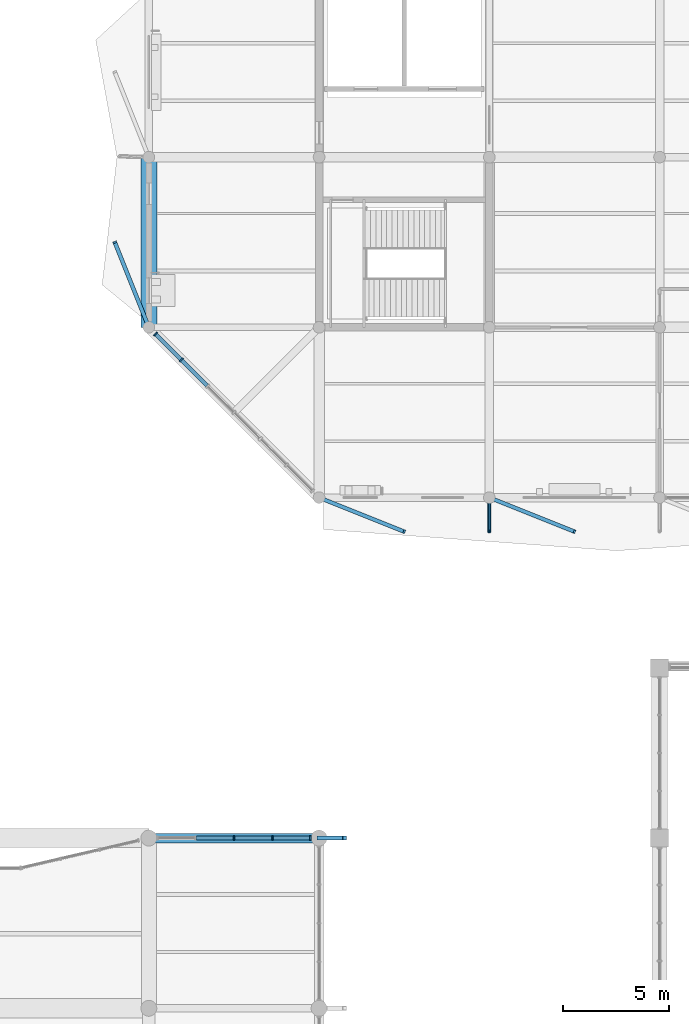
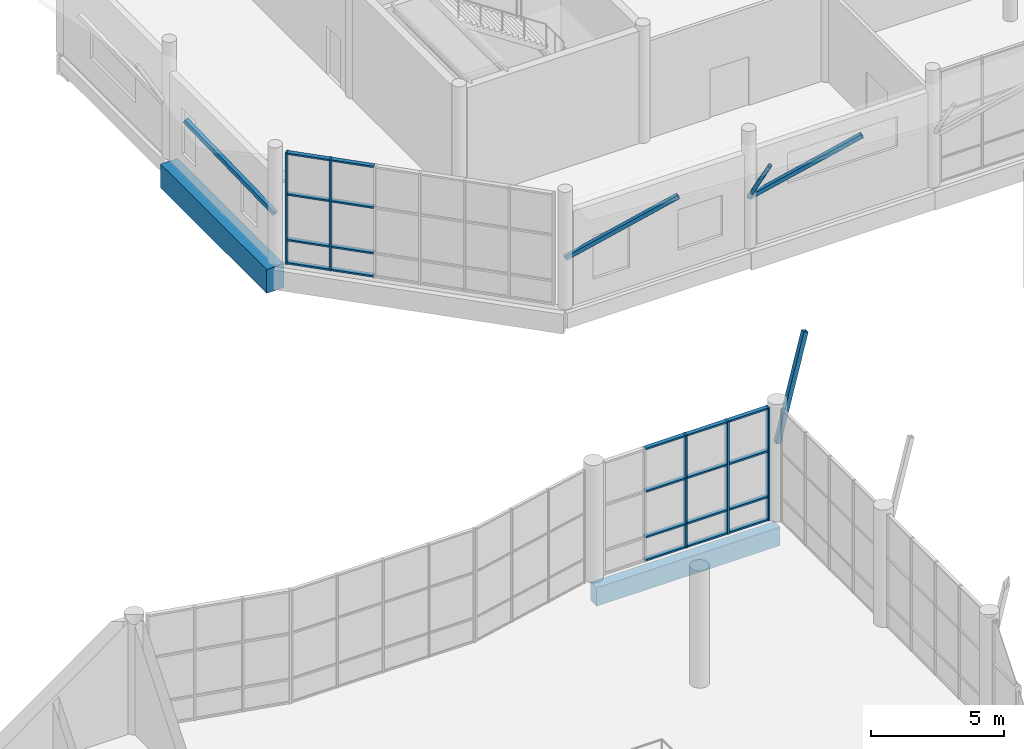
# One storey, part 42 of 122: 30 members, 2 beams, 2 elements without a shape of their own.
"""IFC4 building model written with IfcOpenShell, lengths in metres."""

from ifc_helpers import new_model, si_unit, direction, frame, origin, origin_2d, place, context, subcontext, project, spatial, rectangle, hollow_rectangle, hollow_circle, extrude, material, material_profile, profile_set, type_object, element, aggregate, save


model = new_model("IFC4")

# Units and contexts
model_context = context("Model", 3, precision=1e-05, world=origin(), true_north=direction((0.0, 1.0)))
body_context = subcontext(model_context, "Body", "Model", "MODEL_VIEW")
ifc_project = project(units=[si_unit("LENGTHUNIT", "METRE"), si_unit("AREAUNIT", "SQUARE_METRE"), si_unit("VOLUMEUNIT", "CUBIC_METRE"), si_unit("PLANEANGLEUNIT", "RADIAN"), si_unit("MASSUNIT", "GRAM", prefix="KILO")], contexts=[model_context])

# Site, building, storey
site_placement = place(None, origin())
site = spatial("IfcSite", under=ifc_project, at=site_placement, CompositionType="ELEMENT")
building_placement = place(site_placement, origin())
building = spatial("IfcBuilding", under=site, at=building_placement, Name="Tenunan Teduh Sports Hall", CompositionType="ELEMENT")
storey_placement = place(building_placement, frame((0.0, 0.0, 5.39990234375)))
storey = spatial("IfcBuildingStorey", under=building, at=storey_placement, Name="L01", CompositionType="ELEMENT", Elevation=5.39990234375)

# Beams
ifc_material_1 = material(Name="Concrete C40/50", Category="concrete")
ifc_material_profile_1 = material_profile(ifc_material_1, rectangle(XDim=0.449951171875, YDim=0.85009765625, at=origin_2d()), Name="RCB 450x850")
ifc_profile_set_1 = profile_set([ifc_material_profile_1], Name="Concrete C40/50")
beam_type_1 = type_object("IfcBeamType", Name="BM-RC-450x850", PredefinedType="BEAM", material=ifc_profile_set_1)
beam_1_placement = place(storey_placement, frame((98.0, 70.0, -0.784912109375), z_axis=(1.0, 0.0, 0.0), x_axis=(0.0, 1.0, 0.0)))
element("IfcBeam", 1, at=beam_1_placement, inside=storey, type_object=beam_type_1, Name="BM-B-13-L01-1094", PredefinedType="BEAM", context=body_context, shape_type="SweptSolid", body=[
    extrude(rectangle(XDim=0.449951171875, YDim=0.85009765625, at=origin_2d()), origin(), (0.0, 0.0, 1.0), 8.0),
])
ifc_material_2 = material(Name="Concrete C40/50", Category="concrete")
ifc_material_profile_2 = material_profile(ifc_material_2, rectangle(XDim=0.75, YDim=1.10009765625, at=origin_2d()), Name="RCB 750x1100")
ifc_profile_set_2 = profile_set([ifc_material_profile_2], Name="Concrete C40/50")
beam_type_2 = type_object("IfcBeamType", Name="BM-RC-750x1100", PredefinedType="SPANDREL", material=ifc_profile_set_2)
beam_2_placement = place(storey_placement, frame((98.0, 94.0, -0.809814453125), z_axis=(0.0, 1.0, 0.0), x_axis=(-1.0, 0.0, 0.0)))
element("IfcBeam", 2, at=beam_2_placement, inside=storey, type_object=beam_type_2, Name="BM-B-20-L01-1250", PredefinedType="SPANDREL", context=body_context, shape_type="SweptSolid", body=[
    extrude(rectangle(XDim=0.75, YDim=1.10009765625, at=origin_2d()), origin(), (0.0, 0.0, 1.0), 8.0),
])

# Curtain wall, members
ifc_material_3 = material(Name="Anodised aluminium", Category="aluminium")
curtain_wall_type = type_object("IfcCurtainWallType", Name="CW-UNIT-1", PredefinedType="NOTDEFINED", material=ifc_material_3)
curtain_wall_1_placement = place(storey_placement, origin())
curtain_wall_1 = element("IfcCurtainWall", 3, at=curtain_wall_1_placement, inside=storey, type_object=curtain_wall_type, Name="CW-CWM-220-L01-165", PredefinedType="NOTDEFINED")
ifc_material_4 = material(Name="Anodised aluminium", Category="aluminium")
ifc_material_profile_3 = material_profile(ifc_material_4, rectangle(XDim=0.074951171875, YDim=0.219970703125, at=origin_2d()), Name="CWM 75x220")
ifc_profile_set_3 = profile_set([ifc_material_profile_3], Name="Anodised aluminium")
member_type_1 = type_object("IfcMemberType", Name="CWM-220", PredefinedType="MULLION", material=ifc_profile_set_3)
member_1_placement = place(storey_placement, frame((102.0, 70.0, 0.0), z_axis=(0.0, 0.0, 1.0), x_axis=(1.0, 0.0, 0.0)))
member_1 = element("IfcMember", 4, at=member_1_placement, type_object=member_type_1, Name="CW-01 mullion 3", PredefinedType="MULLION", context=body_context, shape_type="SweptSolid", body=[
    extrude(rectangle(XDim=0.074951171875, YDim=0.219970703125, at=origin_2d()), origin(), (0.0, 0.0, 1.0), 5.2001953125),
])
member_2_placement = place(storey_placement, frame((103.8125, 70.0, 0.0), z_axis=(0.0, 0.0, 1.0), x_axis=(1.0, 0.0, 0.0)))
member_2 = element("IfcMember", 5, at=member_2_placement, type_object=member_type_1, Name="CW-01 mullion 4", PredefinedType="MULLION", context=body_context, shape_type="SweptSolid", body=[
    extrude(rectangle(XDim=0.074951171875, YDim=0.219970703125, at=origin_2d()), origin(), (0.0, 0.0, 1.0), 5.2001953125),
])
member_3_placement = place(storey_placement, frame((105.58740234375, 70.0, 0.0), z_axis=(0.0, 0.0, 1.0), x_axis=(1.0, 0.0, 0.0)))
member_3 = element("IfcMember", 6, at=member_3_placement, type_object=member_type_1, Name="CW-01 mullion 5", PredefinedType="MULLION", context=body_context, shape_type="SweptSolid", body=[
    extrude(rectangle(XDim=0.074951171875, YDim=0.219970703125, at=origin_2d()), origin(), (0.0, 0.0, 1.0), 5.2001953125),
])

curtain_wall_2_placement = place(storey_placement, origin())
curtain_wall_2 = element("IfcCurtainWall", 7, at=curtain_wall_2_placement, inside=storey, type_object=curtain_wall_type, Name="CW-CWM-220-L01-253", PredefinedType="NOTDEFINED")
member_4_placement = place(storey_placement, frame((98.315185546875, 93.684814453125, 0.0), z_axis=(0.0, 0.0, 1.0), x_axis=(-0.707106781187, 0.707106781187, 0.0)))
member_4 = element("IfcMember", 8, at=member_4_placement, type_object=member_type_1, Name="CW-01 mullion 1", PredefinedType="MULLION", context=body_context, shape_type="SweptSolid", body=[
    extrude(rectangle(XDim=0.074951171875, YDim=0.219970703125, at=origin_2d()), origin(), (0.0, 0.0, 1.0), 5.1201171875),
])
member_5_placement = place(storey_placement, frame((99.52587890625, 92.47412109375, 0.0), z_axis=(0.0, 0.0, 1.0), x_axis=(-0.707106781187, 0.707106781187, 0.0)))
member_5 = element("IfcMember", 9, at=member_5_placement, type_object=member_type_1, Name="CW-01 mullion 2", PredefinedType="MULLION", context=body_context, shape_type="SweptSolid", body=[
    extrude(rectangle(XDim=0.074951171875, YDim=0.219970703125, at=origin_2d()), origin(), (0.0, 0.0, 1.0), 5.1201171875),
])

# Member
ifc_material_5 = material(Name="Anodised aluminium", Category="aluminium")
ifc_material_profile_4 = material_profile(ifc_material_5, rectangle(XDim=0.074951171875, YDim=0.179931640625, at=origin_2d()), Name="CWT 75x180")
ifc_profile_set_4 = profile_set([ifc_material_profile_4], Name="Anodised aluminium")
member_type_2 = type_object("IfcMemberType", Name="CWT-180", PredefinedType="USERDEFINED", material=ifc_profile_set_4)
member_6_placement = place(storey_placement, frame((100.22509765625, 70.0, 0.03759765625), z_axis=(1.0, 0.0, 0.0), x_axis=(0.0, 0.0, 1.0)))
member_6 = element("IfcMember", 10, at=member_6_placement, type_object=member_type_2, Name="CW-01 transom 2.1", ObjectType="TRANSOM", PredefinedType="USERDEFINED", context=body_context, shape_type="SweptSolid", body=[
    extrude(rectangle(XDim=0.074951171875, YDim=0.179931640625, at=origin_2d()), origin(), (0.0, 0.0, 1.0), 1.7373046875),
])

member_7_placement = place(storey_placement, frame((100.22509765625, 70.0, 1.10009765625), z_axis=(1.0, 0.0, 0.0), x_axis=(0.0, 0.0, 1.0)))
member_7 = element("IfcMember", 11, at=member_7_placement, type_object=member_type_2, Name="CW-01 transom 2.2", ObjectType="TRANSOM", PredefinedType="USERDEFINED", context=body_context, shape_type="SweptSolid", body=[
    extrude(rectangle(XDim=0.074951171875, YDim=0.179931640625, at=origin_2d()), origin(), (0.0, 0.0, 1.0), 1.7373046875),
])

member_8_placement = place(storey_placement, frame((100.22509765625, 70.0, 3.2001953125), z_axis=(1.0, 0.0, 0.0), x_axis=(0.0, 0.0, 1.0)))
member_8 = element("IfcMember", 12, at=member_8_placement, type_object=member_type_2, Name="CW-01 transom 2.3", ObjectType="TRANSOM", PredefinedType="USERDEFINED", context=body_context, shape_type="SweptSolid", body=[
    extrude(rectangle(XDim=0.074951171875, YDim=0.179931640625, at=origin_2d()), origin(), (0.0, 0.0, 1.0), 1.7373046875),
])

member_9_placement = place(storey_placement, frame((100.22509765625, 70.0, 5.16259765625), z_axis=(1.0, 0.0, 0.0), x_axis=(0.0, 0.0, 1.0)))
member_9 = element("IfcMember", 13, at=member_9_placement, type_object=member_type_2, Name="CW-01 transom 2.4", ObjectType="TRANSOM", PredefinedType="USERDEFINED", context=body_context, shape_type="SweptSolid", body=[
    extrude(rectangle(XDim=0.074951171875, YDim=0.179931640625, at=origin_2d()), origin(), (0.0, 0.0, 1.0), 1.7373046875),
])

member_10_placement = place(storey_placement, frame((102.03759765625, 70.0, 0.03759765625), z_axis=(1.0, 0.0, 0.0), x_axis=(0.0, 0.0, 1.0)))
member_10 = element("IfcMember", 14, at=member_10_placement, type_object=member_type_2, Name="CW-01 transom 3.1", ObjectType="TRANSOM", PredefinedType="USERDEFINED", context=body_context, shape_type="SweptSolid", body=[
    extrude(rectangle(XDim=0.074951171875, YDim=0.179931640625, at=origin_2d()), origin(), (0.0, 0.0, 1.0), 1.7373046875),
])

member_11_placement = place(storey_placement, frame((102.03759765625, 70.0, 1.10009765625), z_axis=(1.0, 0.0, 0.0), x_axis=(0.0, 0.0, 1.0)))
member_11 = element("IfcMember", 15, at=member_11_placement, type_object=member_type_2, Name="CW-01 transom 3.2", ObjectType="TRANSOM", PredefinedType="USERDEFINED", context=body_context, shape_type="SweptSolid", body=[
    extrude(rectangle(XDim=0.074951171875, YDim=0.179931640625, at=origin_2d()), origin(), (0.0, 0.0, 1.0), 1.7373046875),
])

member_12_placement = place(storey_placement, frame((102.03759765625, 70.0, 3.2001953125), z_axis=(1.0, 0.0, 0.0), x_axis=(0.0, 0.0, 1.0)))
member_12 = element("IfcMember", 16, at=member_12_placement, type_object=member_type_2, Name="CW-01 transom 3.3", ObjectType="TRANSOM", PredefinedType="USERDEFINED", context=body_context, shape_type="SweptSolid", body=[
    extrude(rectangle(XDim=0.074951171875, YDim=0.179931640625, at=origin_2d()), origin(), (0.0, 0.0, 1.0), 1.7373046875),
])

member_13_placement = place(storey_placement, frame((102.03759765625, 70.0, 5.16259765625), z_axis=(1.0, 0.0, 0.0), x_axis=(0.0, 0.0, 1.0)))
member_13 = element("IfcMember", 17, at=member_13_placement, type_object=member_type_2, Name="CW-01 transom 3.4", ObjectType="TRANSOM", PredefinedType="USERDEFINED", context=body_context, shape_type="SweptSolid", body=[
    extrude(rectangle(XDim=0.074951171875, YDim=0.179931640625, at=origin_2d()), origin(), (0.0, 0.0, 1.0), 1.7373046875),
])

member_14_placement = place(storey_placement, frame((103.85009765625, 70.0, 0.03759765625), z_axis=(1.0, 0.0, 0.0), x_axis=(0.0, 0.0, 1.0)))
member_14 = element("IfcMember", 18, at=member_14_placement, type_object=member_type_2, Name="CW-01 transom 4.1", ObjectType="TRANSOM", PredefinedType="USERDEFINED", context=body_context, shape_type="SweptSolid", body=[
    extrude(rectangle(XDim=0.074951171875, YDim=0.179931640625, at=origin_2d()), origin(), (0.0, 0.0, 1.0), 1.699951171875),
])

member_15_placement = place(storey_placement, frame((103.85009765625, 70.0, 1.10009765625), z_axis=(1.0, 0.0, 0.0), x_axis=(0.0, 0.0, 1.0)))
member_15 = element("IfcMember", 19, at=member_15_placement, type_object=member_type_2, Name="CW-01 transom 4.2", ObjectType="TRANSOM", PredefinedType="USERDEFINED", context=body_context, shape_type="SweptSolid", body=[
    extrude(rectangle(XDim=0.074951171875, YDim=0.179931640625, at=origin_2d()), origin(), (0.0, 0.0, 1.0), 1.699951171875),
])

member_16_placement = place(storey_placement, frame((103.85009765625, 70.0, 3.2001953125), z_axis=(1.0, 0.0, 0.0), x_axis=(0.0, 0.0, 1.0)))
member_16 = element("IfcMember", 20, at=member_16_placement, type_object=member_type_2, Name="CW-01 transom 4.3", ObjectType="TRANSOM", PredefinedType="USERDEFINED", context=body_context, shape_type="SweptSolid", body=[
    extrude(rectangle(XDim=0.074951171875, YDim=0.179931640625, at=origin_2d()), origin(), (0.0, 0.0, 1.0), 1.699951171875),
])

member_17_placement = place(storey_placement, frame((103.85009765625, 70.0, 5.16259765625), z_axis=(1.0, 0.0, 0.0), x_axis=(0.0, 0.0, 1.0)))
member_17 = element("IfcMember", 21, at=member_17_placement, type_object=member_type_2, Name="CW-01 transom 4.4", ObjectType="TRANSOM", PredefinedType="USERDEFINED", context=body_context, shape_type="SweptSolid", body=[
    extrude(rectangle(XDim=0.074951171875, YDim=0.179931640625, at=origin_2d()), origin(), (0.0, 0.0, 1.0), 1.699951171875),
])

aggregate(curtain_wall_1, [member_1, member_2, member_3, member_6, member_7, member_8, member_9, member_10, member_11, member_12, member_13, member_14, member_15, member_16, member_17])

member_18_placement = place(storey_placement, frame((98.341796875, 93.658203125, 0.03759765625), z_axis=(0.707106781187, -0.707106781187, 0.0), x_axis=(0.0, 0.0, 1.0)))
member_18 = element("IfcMember", 22, at=member_18_placement, type_object=member_type_2, Name="CW-01 transom 1.1", ObjectType="TRANSOM", PredefinedType="USERDEFINED", context=body_context, shape_type="SweptSolid", body=[
    extrude(rectangle(XDim=0.074951171875, YDim=0.179931640625, at=origin_2d()), origin(), (0.0, 0.0, 1.0), 1.636962890625),
])

member_19_placement = place(storey_placement, frame((98.341796875, 93.658203125, 1.10009765625), z_axis=(0.707106781187, -0.707106781187, 0.0), x_axis=(0.0, 0.0, 1.0)))
member_19 = element("IfcMember", 23, at=member_19_placement, type_object=member_type_2, Name="CW-01 transom 1.2", ObjectType="TRANSOM", PredefinedType="USERDEFINED", context=body_context, shape_type="SweptSolid", body=[
    extrude(rectangle(XDim=0.074951171875, YDim=0.179931640625, at=origin_2d()), origin(), (0.0, 0.0, 1.0), 1.636962890625),
])

member_20_placement = place(storey_placement, frame((98.341796875, 93.658203125, 3.2001953125), z_axis=(0.707106781187, -0.707106781187, 0.0), x_axis=(0.0, 0.0, 1.0)))
member_20 = element("IfcMember", 24, at=member_20_placement, type_object=member_type_2, Name="CW-01 transom 1.3", ObjectType="TRANSOM", PredefinedType="USERDEFINED", context=body_context, shape_type="SweptSolid", body=[
    extrude(rectangle(XDim=0.074951171875, YDim=0.179931640625, at=origin_2d()), origin(), (0.0, 0.0, 1.0), 1.636962890625),
])

member_21_placement = place(storey_placement, frame((98.341796875, 93.658203125, 5.08251953125), z_axis=(0.707106781187, -0.707106781187, 0.0), x_axis=(0.0, 0.0, 1.0)))
member_21 = element("IfcMember", 25, at=member_21_placement, type_object=member_type_2, Name="CW-01 transom 1.4", ObjectType="TRANSOM", PredefinedType="USERDEFINED", context=body_context, shape_type="SweptSolid", body=[
    extrude(rectangle(XDim=0.074951171875, YDim=0.179931640625, at=origin_2d()), origin(), (0.0, 0.0, 1.0), 1.636962890625),
])

member_22_placement = place(storey_placement, frame((99.55224609375, 92.44775390625, 0.03759765625), z_axis=(0.707106781187, -0.707106781187, 0.0), x_axis=(0.0, 0.0, 1.0)))
member_22 = element("IfcMember", 26, at=member_22_placement, type_object=member_type_2, Name="CW-01 transom 2.1", ObjectType="TRANSOM", PredefinedType="USERDEFINED", context=body_context, shape_type="SweptSolid", body=[
    extrude(rectangle(XDim=0.074951171875, YDim=0.179931640625, at=origin_2d()), origin(), (0.0, 0.0, 1.0), 1.674560546875),
])

member_23_placement = place(storey_placement, frame((99.55224609375, 92.44775390625, 1.10009765625), z_axis=(0.707106781187, -0.707106781187, 0.0), x_axis=(0.0, 0.0, 1.0)))
member_23 = element("IfcMember", 27, at=member_23_placement, type_object=member_type_2, Name="CW-01 transom 2.2", ObjectType="TRANSOM", PredefinedType="USERDEFINED", context=body_context, shape_type="SweptSolid", body=[
    extrude(rectangle(XDim=0.074951171875, YDim=0.179931640625, at=origin_2d()), origin(), (0.0, 0.0, 1.0), 1.674560546875),
])

member_24_placement = place(storey_placement, frame((99.55224609375, 92.44775390625, 3.2001953125), z_axis=(0.707106781187, -0.707106781187, 0.0), x_axis=(0.0, 0.0, 1.0)))
member_24 = element("IfcMember", 28, at=member_24_placement, type_object=member_type_2, Name="CW-01 transom 2.3", ObjectType="TRANSOM", PredefinedType="USERDEFINED", context=body_context, shape_type="SweptSolid", body=[
    extrude(rectangle(XDim=0.074951171875, YDim=0.179931640625, at=origin_2d()), origin(), (0.0, 0.0, 1.0), 1.674560546875),
])

member_25_placement = place(storey_placement, frame((99.55224609375, 92.44775390625, 5.08251953125), z_axis=(0.707106781187, -0.707106781187, 0.0), x_axis=(0.0, 0.0, 1.0)))
member_25 = element("IfcMember", 29, at=member_25_placement, type_object=member_type_2, Name="CW-01 transom 2.4", ObjectType="TRANSOM", PredefinedType="USERDEFINED", context=body_context, shape_type="SweptSolid", body=[
    extrude(rectangle(XDim=0.074951171875, YDim=0.179931640625, at=origin_2d()), origin(), (0.0, 0.0, 1.0), 1.674560546875),
])

aggregate(curtain_wall_2, [member_4, member_5, member_18, member_19, member_20, member_21, member_22, member_23, member_24, member_25])

# Members
ifc_material_6 = material(Name="Steel S355", Category="steel")
ifc_material_profile_5 = material_profile(ifc_material_6, hollow_circle(Radius=0.084228515625, WallThickness=0.008056640625, at=origin_2d()), Name="CHS 168.3x8.0")
ifc_profile_set_5 = profile_set([ifc_material_profile_5], Name="Steel S355")
member_type_3 = type_object("IfcMemberType", Name="MEM-BR-CHS168", PredefinedType="BRACE", material=ifc_profile_set_5)
member_26_placement = place(storey_placement, frame((114.0, 86.0, 2.2001953125), z_axis=(0.0, -0.551550138516, 0.834141741374), x_axis=(1.0, 0.0, 0.0)))
element("IfcMember", 30, at=member_26_placement, inside=storey, type_object=member_type_3, Name="MEM-GD-04-L01-1215", PredefinedType="BRACE", context=body_context, shape_type="SweptSolid", body=[
    extrude(hollow_circle(Radius=0.084228515625, WallThickness=0.008056640625, at=origin_2d()), origin(), (0.0, 0.0, 1.0), 2.901123046875),
])
ifc_material_7 = material(Name="Steel S355", Category="steel")
ifc_material_profile_6 = material_profile(ifc_material_7, hollow_rectangle(XDim=0.179931640625, YDim=0.179931640625, WallThickness=0.010009765625, at=origin_2d()), Name="SHS 180x180x10.0")
ifc_profile_set_6 = profile_set([ifc_material_profile_6], Name="Steel S355")
member_type_4 = type_object("IfcMemberType", Name="MEM-ST-SHS180", PredefinedType="STRUT", material=ifc_profile_set_6)
for number, where, z_axis, x_axis, name in (
    (31, (106.0, 86.0, 2.2001953125), (0.809505416952, -0.323821930097, 0.489734966603), (0.37141021739, 0.928468874232, 0.0), "MEM-VS-03-L01-1214"),
    (32, (114.0, 86.0, 2.2001953125), (0.809505416952, -0.323821930097, 0.489734966603), (0.37141021739, 0.928468874232, 0.0), "MEM-VS-03-L01-1218"),
    (33, (98.0, 94.0, 2.2001953125), (-0.323821930097, 0.809505416952, 0.489734966603), (-0.928468874232, -0.37141021739, 0.0), "MEM-VS-03-L01-1236"),
):
    element("IfcMember", number, at=place(storey_placement, frame(where, z_axis=z_axis, x_axis=x_axis)), inside=storey, type_object=member_type_4, Name=name, PredefinedType="STRUT", context=body_context, shape_type="SweptSolid", body=[
        extrude(hollow_rectangle(XDim=0.179931640625, YDim=0.179931640625, WallThickness=0.010009765625, at=origin_2d()), origin(), (0.0, 0.0, 1.0), 4.94140625),
    ])
ifc_material_8 = material(Name="Steel S355", Category="steel")
ifc_material_profile_7 = material_profile(ifc_material_8, hollow_rectangle(XDim=0.199951171875, YDim=0.199951171875, WallThickness=0.010009765625, at=origin_2d()), Name="SHS 200x200x10.0")
ifc_profile_set_7 = profile_set([ifc_material_profile_7], Name="Steel S355")
member_type_5 = type_object("IfcMemberType", Name="MEM-ST-SHS200", PredefinedType="STRUT", material=ifc_profile_set_7)
member_27_placement = place(storey_placement, frame((106.0, 70.0, 3.400146484375), z_axis=(0.246390798262, 0.0, 0.969170560083), x_axis=(0.0, 1.0, 0.0)))
element("IfcMember", 34, at=member_27_placement, inside=storey, type_object=member_type_5, Name="MEM-VS-02-L01-0902", PredefinedType="STRUT", context=body_context, shape_type="SweptSolid", body=[
    extrude(hollow_rectangle(XDim=0.199951171875, YDim=0.199951171875, WallThickness=0.010009765625, at=origin_2d()), origin(), (0.0, 0.0, 1.0), 4.8701171875),
])

save(model, "model.ifc")
